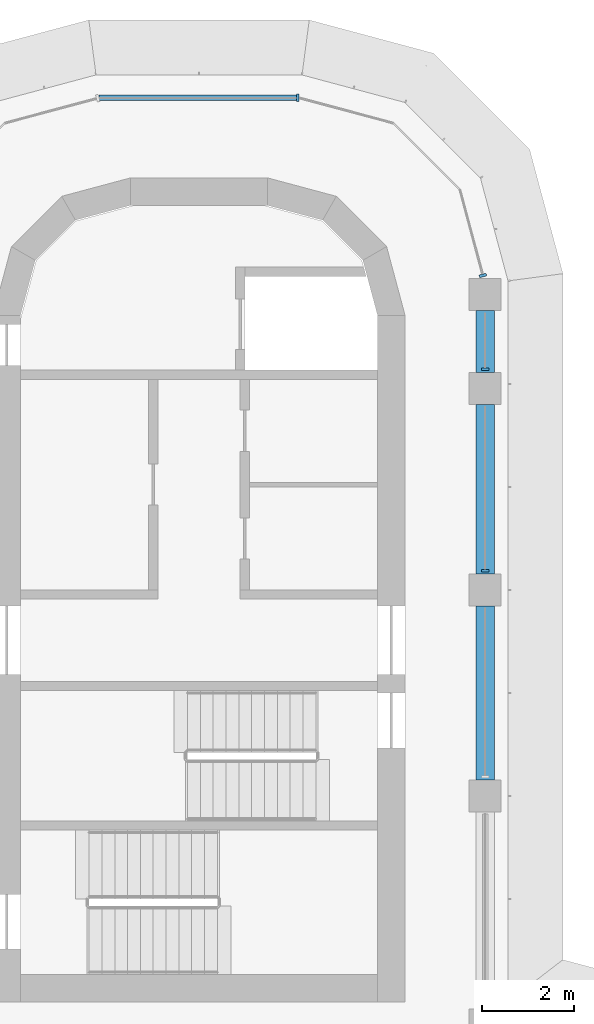
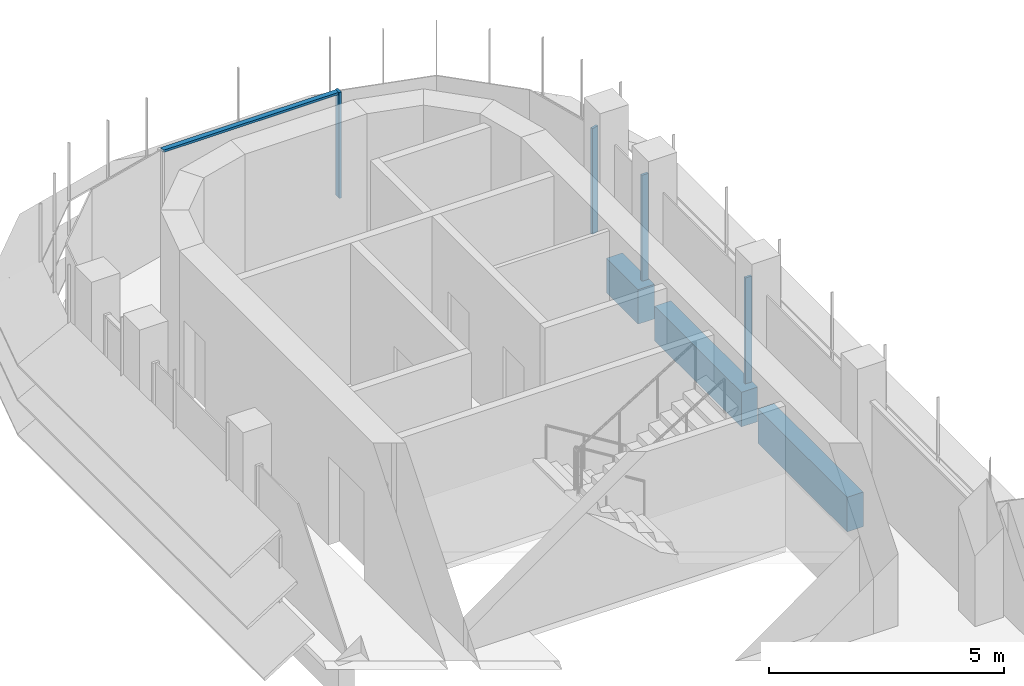
# One storey, part 10 of 18: 5 members, 3 beams, 3 elements without a shape of their own.
"""IFC4 building model written with IfcOpenShell, lengths in metres."""

from ifc_helpers import new_model, si_unit, direction, frame, origin, origin_2d, place, context, subcontext, project, spatial, polyline, rectangle, outline, extrude, source, transform, mapped, material, material_profile, profile_set, type_object, element, aggregate, save


model = new_model("IFC4")

# Units and contexts
model_context = context("Model", 3, precision=1e-05, world=origin(), true_north=direction((0.0, 1.0)))
body_context = subcontext(model_context, "Body", "Model", "MODEL_VIEW")
ifc_project = project(units=[si_unit("LENGTHUNIT", "METRE"), si_unit("AREAUNIT", "SQUARE_METRE"), si_unit("VOLUMEUNIT", "CUBIC_METRE"), si_unit("PLANEANGLEUNIT", "RADIAN"), si_unit("MASSUNIT", "GRAM", prefix="KILO")], contexts=[model_context])

# Site, building, storey
site_placement = place(None, origin())
site = spatial("IfcSite", under=ifc_project, at=site_placement, CompositionType="ELEMENT")
building_placement = place(site_placement, origin())
building = spatial("IfcBuilding", under=site, at=building_placement, Name="Zarbagh Exchange Tower", CompositionType="ELEMENT")
storey_placement = place(building_placement, frame((0.0, 0.0, 210.60009765625)))
storey = spatial("IfcBuildingStorey", under=building, at=storey_placement, Name="L51", CompositionType="ELEMENT", Elevation=210.60009765625)

# Beams
ifc_material_1 = material(Name="Concrete C50/60", Category="concrete")
ifc_material_profile = material_profile(ifc_material_1, rectangle(XDim=0.39990234375, YDim=0.89990234375, at=origin_2d()), Name="RC spandrel beam 400 x 900 C50/60")
ifc_profile_set = profile_set([ifc_material_profile], Name="Concrete C50/60")
beam_type = type_object("IfcBeamType", Name="RC spandrel beam 400 x 900 C50/60", PredefinedType="SPANDREL", material=ifc_profile_set)
beam_1_placement = place(storey_placement, frame((6.25, 26.35009765625, -0.60009765625), z_axis=(0.0, -1.0, 0.0), x_axis=(1.0, 0.0, 0.0)))
element("IfcBeam", 1, at=beam_1_placement, inside=storey, type_object=beam_type, Name="RC spandrel beam", PredefinedType="SPANDREL", context=body_context, shape_type="SweptSolid", body=[
    extrude(rectangle(XDim=0.39990234375, YDim=0.89990234375, at=origin_2d()), origin(), (0.0, 0.0, 1.0), 1.35009765625),
])
beam_2_placement = place(storey_placement, frame((6.25, 24.300048828125, -0.60009765625), z_axis=(0.0, -1.0, 0.0), x_axis=(1.0, 0.0, 0.0)))
element("IfcBeam", 2, at=beam_2_placement, inside=storey, type_object=beam_type, Name="RC spandrel beam", PredefinedType="SPANDREL", context=body_context, shape_type="SweptSolid", body=[
    extrude(rectangle(XDim=0.39990234375, YDim=0.89990234375, at=origin_2d()), origin(), (0.0, 0.0, 1.0), 3.699951171875),
])
beam_3_placement = place(storey_placement, frame((6.25, 19.89990234375, -0.60009765625), z_axis=(0.0, -1.0, 0.0), x_axis=(1.0, 0.0, 0.0)))
element("IfcBeam", 3, at=beam_3_placement, inside=storey, type_object=beam_type, Name="RC spandrel beam", PredefinedType="SPANDREL", context=body_context, shape_type="SweptSolid", body=[
    extrude(rectangle(XDim=0.39990234375, YDim=0.89990234375, at=origin_2d()), origin(), (0.0, 0.0, 1.0), 3.7998046875),
])

# Curtain wall, members
ifc_material_2 = material(Name="Anodised aluminium frame and glazing", Category="aluminium")
curtain_wall_type = type_object("IfcCurtainWallType", Name="CWB Ribbon glazing, upper zones", PredefinedType="NOTDEFINED", material=ifc_material_2)
curtain_wall_1_placement = place(storey_placement, origin())
curtain_wall_1 = element("IfcCurtainWall", 4, at=curtain_wall_1_placement, inside=storey, type_object=curtain_wall_type, Name="CWB20 curtain wall", PredefinedType="NOTDEFINED")
ifc_material_3 = material(Name="Anodised aluminium frame", Category="aluminium")
member_type_1 = type_object("IfcMemberType", Name="MUB Mullion, anodised aluminium frame", PredefinedType="MULLION", material=ifc_material_3)
shared_shape_1 = source(origin(), body_context, "Body", "SweptSolid", [
    extrude(outline(polyline([(0.0, -0.080078125), (0.06005859375, -0.080078125), (0.06005859375, 0.080078125), (0.0, 0.080078125), (0.0, -0.080078125)])), origin(), (0.0, 0.0, 1.0), 2.75),
])
placement = place(storey_placement, origin())
member_1 = element("IfcMember", 5, at=placement, type_object=member_type_1, Name="CWB20 mullion 3.1", PredefinedType="MULLION", context=body_context, shape_type="MappedRepresentation", body=[
    mapped(shared_shape_1, transform((6.25, 20.64013671875, 0.0), x_axis=(0.0, 1.0, 0.0), y_axis=(-1.0, 0.0, 0.0), z_axis=(0.0, 0.0, 1.0))),
])
member_2 = element("IfcMember", 6, at=placement, type_object=member_type_1, Name="CWB20 mullion 4.1", PredefinedType="MULLION", context=body_context, shape_type="MappedRepresentation", body=[
    mapped(shared_shape_1, transform((6.25, 25.0400390625, 0.0), x_axis=(0.0, 1.0, 0.0), y_axis=(-1.0, 0.0, 0.0), z_axis=(0.0, 0.0, 1.0))),
])
aggregate(curtain_wall_1, [member_1, member_2])

# Curtain wall, member
curtain_wall_2_placement = place(storey_placement, origin())
curtain_wall_2 = element("IfcCurtainWall", 7, at=curtain_wall_2_placement, inside=storey, type_object=curtain_wall_type, Name="CWB21 curtain wall", PredefinedType="NOTDEFINED")
member_3 = element("IfcMember", 8, at=placement, type_object=member_type_1, Name="CWB21 mullion 1.1", PredefinedType="MULLION", context=body_context, shape_type="MappedRepresentation", body=[
    mapped(shared_shape_1, transform((6.208251953125, 27.090087890625, 0.0), x_axis=(-0.258824779902, 0.965924289636, 0.0), y_axis=(-0.965924289636, -0.258824779902, 0.0), z_axis=(0.0, 0.0, 1.0))),
])
aggregate(curtain_wall_2, [member_3])

# Curtain wall, members
curtain_wall_3_placement = place(storey_placement, origin())
curtain_wall_3 = element("IfcCurtainWall", 9, at=curtain_wall_3_placement, inside=storey, type_object=curtain_wall_type, Name="CWB24 curtain wall", PredefinedType="NOTDEFINED")
member_4 = element("IfcMember", 10, at=placement, type_object=member_type_1, Name="CWB24 mullion 1.1", PredefinedType="MULLION", context=body_context, shape_type="MappedRepresentation", body=[
    mapped(shared_shape_1, transform((2.18408203125, 31.0, 0.0), x_axis=(-1.0, 0.0, 0.0), y_axis=(0.0, -1.0, 0.0), z_axis=(0.0, 0.0, 1.0))),
])
member_type_2 = type_object("IfcMemberType", Name="TRB Transom, anodised aluminium frame", PredefinedType="USERDEFINED", material=ifc_material_3)
shared_shape_2 = source(origin(), body_context, "Body", "SweptSolid", [
    extrude(outline(polyline([(-0.06005859375, -0.06005859375), (0.0, -0.06005859375), (0.0, 0.06005859375), (-0.06005859375, 0.06005859375), (-0.06005859375, -0.06005859375)])), origin(), (0.0, 0.0, 1.0), 4.308349609375),
])
member_5 = element("IfcMember", 11, at=placement, type_object=member_type_2, Name="CWB24 transom 1.1", ObjectType="TRANSOM", PredefinedType="USERDEFINED", context=body_context, shape_type="MappedRepresentation", body=[
    mapped(shared_shape_2, transform((2.124267578125, 31.0, 2.75), x_axis=(0.0, 0.0, 1.0), y_axis=(0.0, 1.0, 0.0), z_axis=(-1.0, 0.0, 0.0))),
])
aggregate(curtain_wall_3, [member_4, member_5])

save(model, "model.ifc")
